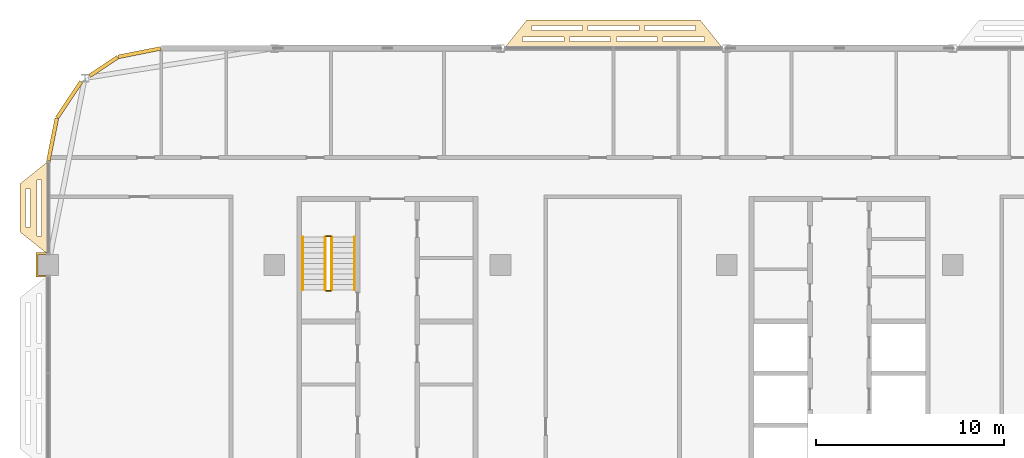
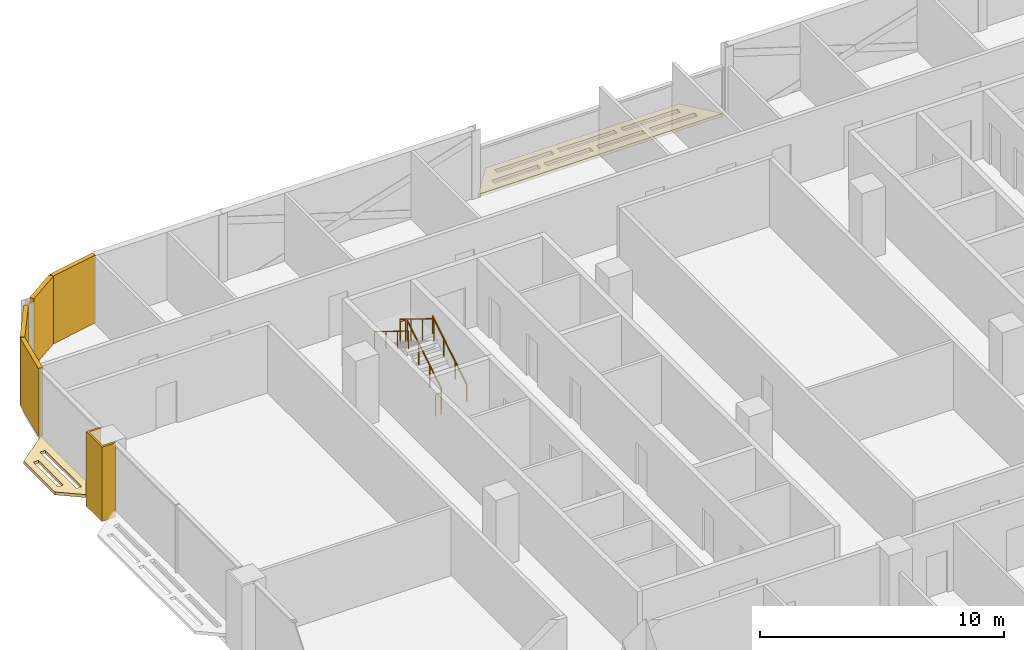
# One storey, part 27 of 30: 7 coverings, 6 railings.
"""IFC4 building model written with IfcOpenShell, lengths in metres."""

from ifc_helpers import new_model, si_unit, direction, frame, origin, origin_2d, place, context, subcontext, project, spatial, polyline, rectangle, circle, outline, extrude, material, layer, layer_set, type_object, element, save


model = new_model("IFC4")

# Units and contexts
model_context = context("Model", 3, precision=1e-05, world=origin(), true_north=direction((0.0, 1.0)))
body_context = subcontext(model_context, "Body", "Model", "MODEL_VIEW")
ifc_project = project(units=[si_unit("LENGTHUNIT", "METRE"), si_unit("AREAUNIT", "SQUARE_METRE"), si_unit("VOLUMEUNIT", "CUBIC_METRE"), si_unit("PLANEANGLEUNIT", "RADIAN"), si_unit("MASSUNIT", "GRAM", prefix="KILO")], contexts=[model_context])

# Site, building, storey
site_placement = place(None, origin())
site = spatial("IfcSite", under=ifc_project, at=site_placement, CompositionType="ELEMENT")
building_placement = place(site_placement, origin())
building = spatial("IfcBuilding", under=site, at=building_placement, Name="Mahtab Terrace Research Tower", CompositionType="ELEMENT")
storey_placement = place(building_placement, frame((0.0, 0.0, 220.5)))
storey = spatial("IfcBuildingStorey", under=building, at=storey_placement, Name="L53", CompositionType="ELEMENT", Elevation=220.5)

# Coverings
ifc_material_1 = material(Name="Black aluminium cladding panel", Category="aluminium")
ifc_layer_1 = layer(ifc_material_1, 0.199951171875)
ifc_layer_set_1 = layer_set([ifc_layer_1], Name="Black metal corner cladding 200")
covering_type_1 = type_object("IfcCoveringType", Name="Black metal corner cladding 200", PredefinedType="CLADDING", material=ifc_layer_set_1)
covering_1_placement = place(storey_placement, frame((-37.14794921875, 22.771484375, 0.0), z_axis=(0.0, 0.0, 1.0), x_axis=(-0.980760981187, -0.195212442692, 0.0)))
element("IfcCovering", 1, at=covering_1_placement, inside=storey, type_object=covering_type_1, Name="Corner cladding L53 11", PredefinedType="CLADDING", context=body_context, shape_type="SweptSolid", body=[
    extrude(rectangle(XDim=2.30126953125, YDim=0.199951171875, at=origin_2d()), origin(), (0.0, 0.0, 1.0), 3.39990234375),
])
covering_2_placement = place(storey_placement, frame((-39.059814453125, 22.032958984375, 0.0), z_axis=(0.0, 0.0, 1.0), x_axis=(-0.831655794326, -0.555291490808, 0.0)))
element("IfcCovering", 2, at=covering_2_placement, inside=storey, type_object=covering_type_1, Name="Corner cladding L53 12", PredefinedType="CLADDING", context=body_context, shape_type="SweptSolid", body=[
    extrude(rectangle(XDim=1.797119140625, YDim=0.199951171875, at=origin_2d()), origin(), (0.0, 0.0, 1.0), 3.39990234375),
])
for number, where, z_axis, x_axis, name in (
    (3, (-40.89306640625, 20.26953125, 0.0), (0.0, 0.0, 1.0), (-0.555291490808, -0.831655794326, 0.0), "Corner cladding L53 13"),
    (4, (-41.771484375, 18.14794921875, 0.0), (0.0, 0.0, 1.0), (-0.195212442692, -0.980760981187, 0.0), "Corner cladding L53 14"),
):
    element("IfcCovering", number, at=place(storey_placement, frame(where, z_axis=z_axis, x_axis=x_axis)), inside=storey, type_object=covering_type_1, Name=name, PredefinedType="CLADDING", context=body_context, shape_type="SweptSolid", body=[
        extrude(rectangle(XDim=2.30126953125, YDim=0.199951171875, at=origin_2d()), origin(), (0.0, 0.0, 1.0), 3.39990234375),
    ])
ifc_material_2 = material(Name="Dark anodised aluminium cladding", Category="aluminium")
ifc_layer_2 = layer(ifc_material_2, 0.10009765625)
ifc_layer_set_2 = layer_set([ifc_layer_2], Name="Column casing 100")
covering_type_2 = type_object("IfcCoveringType", Name="Column casing 100", PredefinedType="CLADDING", material=ifc_layer_set_2)
covering_3_placement = place(storey_placement, frame((0.0, 0.0, -0.340087890625)))
element("IfcCovering", 5, at=covering_3_placement, inside=storey, type_object=covering_type_2, Name="Column casing RC-1C L53", PredefinedType="CLADDING", context=body_context, shape_type="SweptSolid", body=[
    extrude(outline(polyline([(-42.64990234375, 12.14990234375), (-42.0, 12.14990234375), (-42.0, 12.050048828125), (-42.550048828125, 12.050048828125), (-42.550048828125, 10.949951171875), (-42.0, 10.949951171875), (-42.0, 10.85009765625), (-42.64990234375, 10.85009765625), (-42.64990234375, 12.14990234375)])), origin(), (0.0, 0.0, 1.0), 3.739990234375),
])
ifc_material_3 = material(Name="Black anodised aluminium", Category="aluminium")
ifc_layer_3 = layer(ifc_material_3, 0.14990234375)
ifc_layer_set_3 = layer_set([ifc_layer_3], Name="Horizontal sunshade band")
covering_type_3 = type_object("IfcCoveringType", Name="Horizontal sunshade band", PredefinedType="CLADDING", material=ifc_layer_set_3)
covering_4_placement = place(storey_placement, frame((0.0, 0.0, -0.14990234375)))
element("IfcCovering", 6, at=covering_4_placement, inside=storey, type_object=covering_type_3, Name="Sunshade band L53 8", PredefinedType="CLADDING", context=body_context, shape_type="SweptSolid", body=[
    extrude(outline(polyline([(-6.199951171875, 23.0), (-17.800048828125, 23.0), (-16.60009765625, 24.5), (-7.39990234375, 24.5), (-6.199951171875, 23.0)]), holes=[polyline([(-7.179931640625, 23.35009765625), (-9.364990234375, 23.35009765625), (-9.364990234375, 23.60009765625), (-7.179931640625, 23.60009765625), (-7.179931640625, 23.35009765625)]), polyline([(-9.6650390625, 23.35009765625), (-11.85009765625, 23.35009765625), (-11.85009765625, 23.60009765625), (-9.6650390625, 23.60009765625), (-9.6650390625, 23.35009765625)]), polyline([(-12.14990234375, 23.35009765625), (-14.3349609375, 23.35009765625), (-14.3349609375, 23.60009765625), (-12.14990234375, 23.60009765625), (-12.14990234375, 23.35009765625)]), polyline([(-14.635009765625, 23.35009765625), (-16.820068359375, 23.35009765625), (-16.820068359375, 23.60009765625), (-14.635009765625, 23.60009765625), (-14.635009765625, 23.35009765625)]), polyline([(-7.659912109375, 23.949951171875), (-10.35302734375, 23.949951171875), (-10.35302734375, 24.199951171875), (-7.659912109375, 24.199951171875), (-7.659912109375, 23.949951171875)]), polyline([(-10.653076171875, 23.949951171875), (-13.346923828125, 23.949951171875), (-13.346923828125, 24.199951171875), (-10.653076171875, 24.199951171875), (-10.653076171875, 23.949951171875)]), polyline([(-13.64697265625, 23.949951171875), (-16.340087890625, 23.949951171875), (-16.340087890625, 24.199951171875), (-13.64697265625, 24.199951171875), (-13.64697265625, 23.949951171875)])]), origin(), (0.0, 0.0, 1.0), 0.14990234375),
])
covering_5_placement = place(storey_placement, frame((0.0, 0.0, -0.14990234375)))
element("IfcCovering", 7, at=covering_5_placement, inside=storey, type_object=covering_type_3, Name="Sunshade band L53 15", PredefinedType="CLADDING", context=body_context, shape_type="SweptSolid", body=[
    extrude(outline(polyline([(-42.0, 17.0), (-42.0, 12.050048828125), (-43.5, 13.25), (-43.5, 15.800048828125), (-42.0, 17.0)]), holes=[polyline([(-42.35009765625, 16.02001953125), (-42.35009765625, 13.030029296875), (-42.60009765625, 13.030029296875), (-42.60009765625, 16.02001953125), (-42.35009765625, 16.02001953125)]), polyline([(-42.949951171875, 15.5400390625), (-42.949951171875, 13.510009765625), (-43.199951171875, 13.510009765625), (-43.199951171875, 15.5400390625), (-42.949951171875, 15.5400390625)])]), origin(), (0.0, 0.0, 1.0), 0.14990234375),
])

# Railings
ifc_material_4 = material(Name="Stainless steel AISI 304", Category="steel")
railing_type_1 = type_object("IfcRailingType", Name="Stair guard 1100", PredefinedType="GUARDRAIL", material=ifc_material_4)
railing_1_placement = place(storey_placement, frame((-26.949951171875, 10.175048828125, 0.172607421875)))
element("IfcRailing", 8, at=railing_1_placement, inside=storey, type_object=railing_type_1, Name="L53 ST1 stair guard 1", PredefinedType="GUARDRAIL", context=body_context, shape_type="SweptSolid", body=[
    extrude(circle(Radius=0.02392578125, at=origin_2d()), frame((0.0, 0.0, 1.076171875), z_axis=(0.0, 0.851089632645, 0.525020415988), x_axis=(-1.0, 0.0, 0.0)), (0.0, 0.0, 1.0), 3.2900390625),
    extrude(circle(Radius=0.02099609375, at=origin_2d()), origin(), (0.0, 0.0, 1.0), 1.052001953125),
    extrude(circle(Radius=0.02099609375, at=origin_2d()), frame((0.0, 0.933349609375, 0.57568359375)), (0.0, 0.0, 1.0), 1.052001953125),
    extrude(circle(Radius=0.02099609375, at=origin_2d()), frame((0.0, 1.86669921875, 1.151611328125)), (0.0, 0.0, 1.0), 1.052001953125),
    extrude(circle(Radius=0.02099609375, at=origin_2d()), frame((0.0, 2.800048828125, 1.727294921875)), (0.0, 0.0, 1.0), 1.052001953125),
])
railing_2_placement = place(storey_placement, frame((-27.0, 13.02490234375, 1.89990234375)))
element("IfcRailing", 9, at=railing_2_placement, inside=storey, type_object=railing_type_1, Name="L53 ST1 stair guard 2", PredefinedType="GUARDRAIL", context=body_context, shape_type="SweptSolid", body=[
    extrude(circle(Radius=0.02392578125, at=origin_2d()), frame((0.0, 0.0, 1.076171875), z_axis=(-1.0, 0.0, 0.0), x_axis=(0.0, -1.0, 0.0)), (0.0, 0.0, 1.0), 0.25),
    extrude(circle(Radius=0.02099609375, at=origin_2d()), origin(), (0.0, 0.0, 1.0), 1.052001953125),
    extrude(circle(Radius=0.02099609375, at=origin_2d()), frame((-0.25, 0.0, 0.0)), (0.0, 0.0, 1.0), 1.052001953125),
])
railing_3_placement = place(storey_placement, frame((-27.300048828125, 12.97509765625, 2.07275390625)))
element("IfcRailing", 10, at=railing_3_placement, inside=storey, type_object=railing_type_1, Name="L53 ST1 stair guard 3", PredefinedType="GUARDRAIL", context=body_context, shape_type="SweptSolid", body=[
    extrude(circle(Radius=0.02392578125, at=origin_2d()), frame((0.0, 0.0, 1.076171875), z_axis=(0.0, -0.851089632645, 0.525020415988), x_axis=(1.0, 0.0, 0.0)), (0.0, 0.0, 1.0), 3.2900390625),
    extrude(circle(Radius=0.02099609375, at=origin_2d()), origin(), (0.0, 0.0, 1.0), 1.052001953125),
    extrude(circle(Radius=0.02099609375, at=origin_2d()), frame((0.0, -0.933349609375, 0.57568359375)), (0.0, 0.0, 1.0), 1.052001953125),
    extrude(circle(Radius=0.02099609375, at=origin_2d()), frame((0.0, -1.86669921875, 1.151611328125)), (0.0, 0.0, 1.0), 1.052001953125),
    extrude(circle(Radius=0.02099609375, at=origin_2d()), frame((0.0, -2.800048828125, 1.727294921875)), (0.0, 0.0, 1.0), 1.052001953125),
])
railing_4_placement = place(storey_placement, frame((-27.0, 10.125, 0.0)))
element("IfcRailing", 11, at=railing_4_placement, inside=storey, type_object=railing_type_1, Name="L53 ST1 stair guard 4", PredefinedType="GUARDRAIL", context=body_context, shape_type="SweptSolid", body=[
    extrude(circle(Radius=0.02392578125, at=origin_2d()), frame((0.0, 0.0, 1.076171875), z_axis=(-1.0, 0.0, 0.0), x_axis=(0.0, -1.0, 0.0)), (0.0, 0.0, 1.0), 0.25),
    extrude(circle(Radius=0.02099609375, at=origin_2d()), origin(), (0.0, 0.0, 1.0), 1.052001953125),
    extrude(circle(Radius=0.02099609375, at=origin_2d()), frame((-0.25, 0.0, 0.0)), (0.0, 0.0, 1.0), 1.052001953125),
])
railing_type_2 = type_object("IfcRailingType", Name="Stair handrail 900", PredefinedType="HANDRAIL", material=ifc_material_4)
railing_5_placement = place(storey_placement, frame((-25.75, 10.175048828125, 0.172607421875)))
element("IfcRailing", 12, at=railing_5_placement, inside=storey, type_object=railing_type_2, Name="L53 ST1 stair handrail 1", PredefinedType="HANDRAIL", context=body_context, shape_type="SweptSolid", body=[
    extrude(circle(Radius=0.02392578125, at=origin_2d()), frame((0.0, 0.0, 0.8759765625), z_axis=(0.0, 0.851089632645, 0.525020415988), x_axis=(-1.0, 0.0, 0.0)), (0.0, 0.0, 1.0), 3.2900390625),
    extrude(circle(Radius=0.02099609375, at=origin_2d()), origin(), (0.0, 0.0, 1.0), 0.851806640625),
    extrude(circle(Radius=0.02099609375, at=origin_2d()), frame((0.0, 0.933349609375, 0.57568359375)), (0.0, 0.0, 1.0), 0.851806640625),
    extrude(circle(Radius=0.02099609375, at=origin_2d()), frame((0.0, 1.86669921875, 1.151611328125)), (0.0, 0.0, 1.0), 0.851806640625),
    extrude(circle(Radius=0.02099609375, at=origin_2d()), frame((0.0, 2.800048828125, 1.727294921875)), (0.0, 0.0, 1.0), 0.851806640625),
])
railing_6_placement = place(storey_placement, frame((-28.5, 12.97509765625, 2.07275390625)))
element("IfcRailing", 13, at=railing_6_placement, inside=storey, type_object=railing_type_2, Name="L53 ST1 stair handrail 2", PredefinedType="HANDRAIL", context=body_context, shape_type="SweptSolid", body=[
    extrude(circle(Radius=0.02392578125, at=origin_2d()), frame((0.0, 0.0, 0.8759765625), z_axis=(0.0, -0.851089632645, 0.525020415988), x_axis=(1.0, 0.0, 0.0)), (0.0, 0.0, 1.0), 3.2900390625),
    extrude(circle(Radius=0.02099609375, at=origin_2d()), origin(), (0.0, 0.0, 1.0), 0.851806640625),
    extrude(circle(Radius=0.02099609375, at=origin_2d()), frame((0.0, -0.933349609375, 0.57568359375)), (0.0, 0.0, 1.0), 0.851806640625),
    extrude(circle(Radius=0.02099609375, at=origin_2d()), frame((0.0, -1.86669921875, 1.151611328125)), (0.0, 0.0, 1.0), 0.851806640625),
    extrude(circle(Radius=0.02099609375, at=origin_2d()), frame((0.0, -2.800048828125, 1.727294921875)), (0.0, 0.0, 1.0), 0.851806640625),
])

save(model, "model.ifc")
